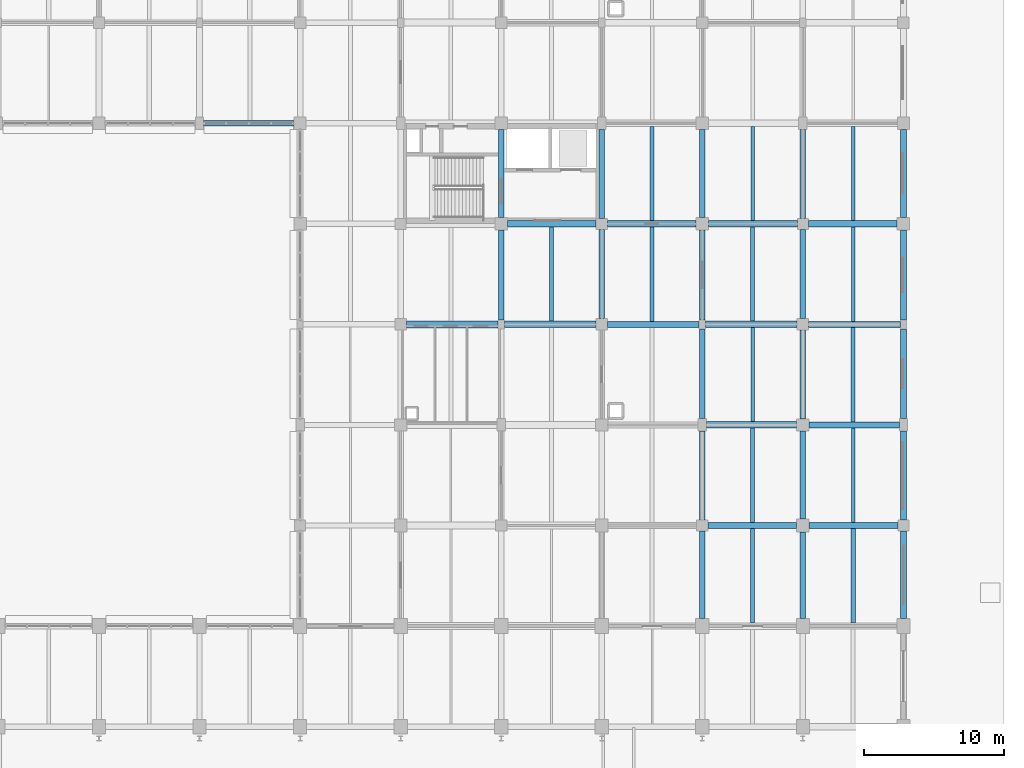
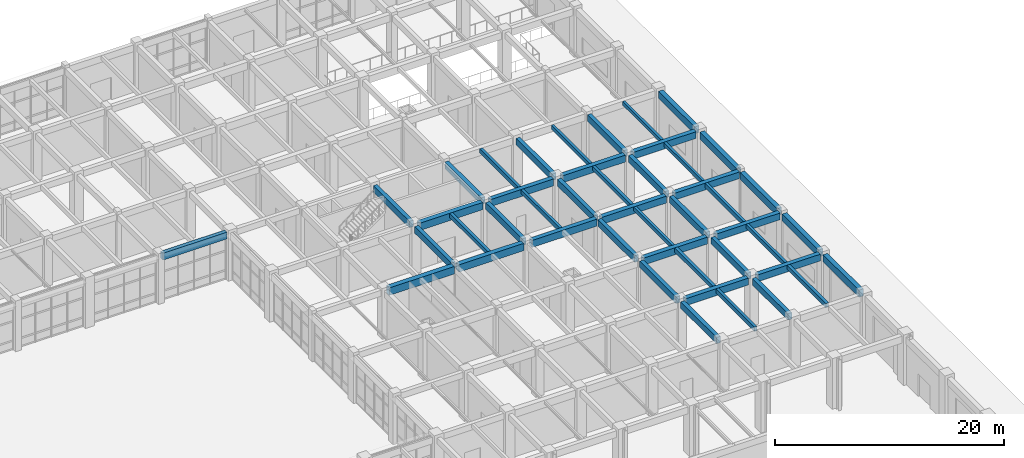
# One storey, part 101 of 160: 46 beams.
"""IFC4 building model written with IfcOpenShell, lengths in metres."""

from ifc_helpers import new_model, si_unit, direction, frame, origin, origin_2d, place, context, subcontext, project, spatial, rectangle, extrude, material, material_profile, profile_set, type_object, element, save


model = new_model("IFC4")

# Units and contexts
model_context = context("Model", 3, precision=1e-05, world=origin(), true_north=direction((0.0, 1.0)))
body_context = subcontext(model_context, "Body", "Model", "MODEL_VIEW")
ifc_project = project(units=[si_unit("LENGTHUNIT", "METRE"), si_unit("AREAUNIT", "SQUARE_METRE"), si_unit("VOLUMEUNIT", "CUBIC_METRE"), si_unit("PLANEANGLEUNIT", "RADIAN"), si_unit("MASSUNIT", "GRAM", prefix="KILO")], contexts=[model_context])

# Site, building, storey
site_placement = place(None, origin())
site = spatial("IfcSite", under=ifc_project, at=site_placement, CompositionType="ELEMENT")
building_placement = place(site_placement, origin())
building = spatial("IfcBuilding", under=site, at=building_placement, Name="Thalmaran Polytechnic", CompositionType="ELEMENT")
storey_placement = place(building_placement, origin())
storey = spatial("IfcBuildingStorey", under=building, at=storey_placement, Name="L00", CompositionType="ELEMENT", Elevation=0.0)

# Beams
ifc_material = material(Name="Concrete C40/50", Category="concrete")
ifc_material_profile_1 = material_profile(ifc_material, rectangle(XDim=0.5, YDim=0.800048828125, at=origin_2d()), Name="RC 500x800")
ifc_profile_set_1 = profile_set([ifc_material_profile_1], Name="Concrete C40/50")
beam_type_1 = type_object("IfcBeamType", Name="BM-RC02", PredefinedType="BEAM", material=ifc_profile_set_1)
beam_1_placement = place(storey_placement, frame((137.2099609375, 79.199951171875, 4.68994140625), z_axis=(1.0, 0.0, 0.0), x_axis=(0.0, 1.0, 0.0)))
element("IfcBeam", 1, at=beam_1_placement, inside=storey, type_object=beam_type_1, Name="Grid Beam B02 L00 X(19,11)", PredefinedType="BEAM", context=body_context, shape_type="SweptSolid", body=[
    extrude(rectangle(XDim=0.5, YDim=0.800048828125, at=origin_2d()), origin(), (0.0, 0.0, 1.0), 6.56494140625),
])
ifc_material_profile_2 = material_profile(ifc_material, rectangle(XDim=0.449951171875, YDim=0.75, at=origin_2d()), Name="RC 450x750")
ifc_profile_set_2 = profile_set([ifc_material_profile_2], Name="Concrete C40/50")
beam_type_2 = type_object("IfcBeamType", Name="BM-RC03", PredefinedType="BEAM", material=ifc_profile_set_2)
beam_2_placement = place(storey_placement, frame((151.610107421875, 79.199951171875, 4.715087890625), z_axis=(1.0, 0.0, 0.0), x_axis=(0.0, 1.0, 0.0)))
element("IfcBeam", 2, at=beam_2_placement, inside=storey, type_object=beam_type_2, Name="Grid Beam B03 L00 X(21,11)", PredefinedType="BEAM", context=body_context, shape_type="SweptSolid", body=[
    extrude(rectangle(XDim=0.449951171875, YDim=0.75, at=origin_2d()), origin(), (0.0, 0.0, 1.0), 6.56494140625),
])
beam_3_placement = place(storey_placement, frame((151.60009765625, 86.39990234375, 4.715087890625), z_axis=(1.0, 0.0, 0.0), x_axis=(0.0, 1.0, 0.0)))
element("IfcBeam", 3, at=beam_3_placement, inside=storey, type_object=beam_type_2, Name="Grid Beam B03 L00 X(21,12)", PredefinedType="BEAM", context=body_context, shape_type="SweptSolid", body=[
    extrude(rectangle(XDim=0.449951171875, YDim=0.75, at=origin_2d()), origin(), (0.0, 0.0, 1.0), 6.349853515625),
])
ifc_material_profile_3 = material_profile(ifc_material, rectangle(XDim=0.449951171875, YDim=0.72509765625, at=origin_2d()), Name="RC 450x725")
ifc_profile_set_3 = profile_set([ifc_material_profile_3], Name="Concrete C40/50")
beam_type_3 = type_object("IfcBeamType", Name="BM-RC04", PredefinedType="BEAM", material=ifc_profile_set_3)
beam_4_placement = place(storey_placement, frame((166.050048828125, 64.800048828125, 4.7275390625), z_axis=(1.0, 0.0, 0.0), x_axis=(0.0, 1.0, 0.0)))
element("IfcBeam", 4, at=beam_4_placement, inside=storey, type_object=beam_type_3, Name="Grid Beam B04 L00 X(23,9)", PredefinedType="BEAM", context=body_context, shape_type="SweptSolid", body=[
    extrude(rectangle(XDim=0.449951171875, YDim=0.72509765625, at=origin_2d()), origin(), (0.0, 0.0, 1.0), 6.349853515625),
])
beam_5_placement = place(storey_placement, frame((166.0400390625, 72.0, 4.7275390625), z_axis=(1.0, 0.0, 0.0), x_axis=(0.0, 1.0, 0.0)))
element("IfcBeam", 5, at=beam_5_placement, inside=storey, type_object=beam_type_3, Name="Grid Beam B04 L00 X(23,10)", PredefinedType="BEAM", context=body_context, shape_type="SweptSolid", body=[
    extrude(rectangle(XDim=0.449951171875, YDim=0.72509765625, at=origin_2d()), origin(), (0.0, 0.0, 1.0), 6.4599609375),
])
beam_6_placement = place(storey_placement, frame((166.010009765625, 79.199951171875, 4.7275390625), z_axis=(1.0, 0.0, 0.0), x_axis=(0.0, 1.0, 0.0)))
element("IfcBeam", 6, at=beam_6_placement, inside=storey, type_object=beam_type_3, Name="Grid Beam B04 L00 X(23,11)", PredefinedType="BEAM", context=body_context, shape_type="SweptSolid", body=[
    extrude(rectangle(XDim=0.449951171875, YDim=0.72509765625, at=origin_2d()), origin(), (0.0, 0.0, 1.0), 6.56494140625),
])
beam_7_placement = place(storey_placement, frame((166.0, 86.39990234375, 4.7275390625), z_axis=(1.0, 0.0, 0.0), x_axis=(0.0, 1.0, 0.0)))
element("IfcBeam", 7, at=beam_7_placement, inside=storey, type_object=beam_type_3, Name="Grid Beam B04 L00 X(23,12)", PredefinedType="BEAM", context=body_context, shape_type="SweptSolid", body=[
    extrude(rectangle(XDim=0.449951171875, YDim=0.72509765625, at=origin_2d()), origin(), (0.0, 0.0, 1.0), 6.35009765625),
])
ifc_material_profile_4 = material_profile(ifc_material, rectangle(XDim=0.389892578125, YDim=0.68505859375, at=origin_2d()), Name="RC 390x685")
ifc_profile_set_4 = profile_set([ifc_material_profile_4], Name="Concrete C40/50")
beam_type_4 = type_object("IfcBeamType", Name="BM-RC08", PredefinedType="BEAM", material=ifc_profile_set_4)
beam_8_placement = place(storey_placement, frame((158.39990234375, 58.125, 4.74755859375), z_axis=(0.0, 1.0, 0.0), x_axis=(-1.0, 0.0, 0.0)))
element("IfcBeam", 8, at=beam_8_placement, inside=storey, type_object=beam_type_4, Name="Grid Beam B08 L00 Y(22,8)", PredefinedType="BEAM", context=body_context, shape_type="SweptSolid", body=[
    extrude(rectangle(XDim=0.389892578125, YDim=0.68505859375, at=origin_2d()), origin(), (0.0, 0.0, 1.0), 6.27490234375),
])
beam_9_placement = place(storey_placement, frame((165.60009765625, 58.125, 4.74755859375), z_axis=(0.0, 1.0, 0.0), x_axis=(-1.0, 0.0, 0.0)))
element("IfcBeam", 9, at=beam_9_placement, inside=storey, type_object=beam_type_4, Name="Grid Beam B08 L00 Y(23,8)", PredefinedType="BEAM", context=body_context, shape_type="SweptSolid", body=[
    extrude(rectangle(XDim=0.389892578125, YDim=0.68505859375, at=origin_2d()), origin(), (0.0, 0.0, 1.0), 6.22509765625),
])
ifc_material_profile_5 = material_profile(ifc_material, rectangle(XDim=0.389892578125, YDim=0.68994140625, at=origin_2d()), Name="RC 390x690")
ifc_profile_set_5 = profile_set([ifc_material_profile_5], Name="Concrete C40/50")
beam_type_5 = type_object("IfcBeamType", Name="BM-RC09", PredefinedType="BEAM", material=ifc_profile_set_5)
beam_10_placement = place(storey_placement, frame((158.39990234375, 72.449951171875, 4.7451171875), z_axis=(0.0, 1.0, 0.0), x_axis=(-1.0, 0.0, 0.0)))
element("IfcBeam", 10, at=beam_10_placement, inside=storey, type_object=beam_type_5, Name="Grid Beam B09 L00 Y(22,10)", PredefinedType="BEAM", context=body_context, shape_type="SweptSolid", body=[
    extrude(rectangle(XDim=0.389892578125, YDim=0.68994140625, at=origin_2d()), origin(), (0.0, 0.0, 1.0), 6.425048828125),
])
beam_11_placement = place(storey_placement, frame((165.60009765625, 72.43994140625, 4.7451171875), z_axis=(0.0, 1.0, 0.0), x_axis=(-1.0, 0.0, 0.0)))
element("IfcBeam", 11, at=beam_11_placement, inside=storey, type_object=beam_type_5, Name="Grid Beam B09 L00 Y(23,10)", PredefinedType="BEAM", context=body_context, shape_type="SweptSolid", body=[
    extrude(rectangle(XDim=0.389892578125, YDim=0.68994140625, at=origin_2d()), origin(), (0.0, 0.0, 1.0), 6.35009765625),
])
ifc_material_profile_6 = material_profile(ifc_material, rectangle(XDim=0.389892578125, YDim=0.695068359375, at=origin_2d()), Name="RC 390x695")
ifc_profile_set_6 = profile_set([ifc_material_profile_6], Name="Concrete C40/50")
beam_type_6 = type_object("IfcBeamType", Name="BM-RC10", PredefinedType="BEAM", material=ifc_profile_set_6)
beam_12_placement = place(storey_placement, frame((144.0, 86.85009765625, 4.742431640625), z_axis=(0.0, 1.0, 0.0), x_axis=(-1.0, 0.0, 0.0)))
element("IfcBeam", 12, at=beam_12_placement, inside=storey, type_object=beam_type_6, Name="Grid Beam B10 L00 Y(20,12)", PredefinedType="BEAM", context=body_context, shape_type="SweptSolid", body=[
    extrude(rectangle(XDim=0.389892578125, YDim=0.695068359375, at=origin_2d()), origin(), (0.0, 0.0, 1.0), 6.309814453125),
])
beam_13_placement = place(storey_placement, frame((151.199951171875, 86.800048828125, 4.742431640625), z_axis=(0.0, 1.0, 0.0), x_axis=(-1.0, 0.0, 0.0)))
element("IfcBeam", 13, at=beam_13_placement, inside=storey, type_object=beam_type_6, Name="Grid Beam B10 L00 Y(21,12)", PredefinedType="BEAM", context=body_context, shape_type="SweptSolid", body=[
    extrude(rectangle(XDim=0.389892578125, YDim=0.695068359375, at=origin_2d()), origin(), (0.0, 0.0, 1.0), 6.349853515625),
])
beam_14_placement = place(storey_placement, frame((158.39990234375, 86.85009765625, 4.742431640625), z_axis=(0.0, 1.0, 0.0), x_axis=(-1.0, 0.0, 0.0)))
element("IfcBeam", 14, at=beam_14_placement, inside=storey, type_object=beam_type_6, Name="Grid Beam B10 L00 Y(22,12)", PredefinedType="BEAM", context=body_context, shape_type="SweptSolid", body=[
    extrude(rectangle(XDim=0.389892578125, YDim=0.695068359375, at=origin_2d()), origin(), (0.0, 0.0, 1.0), 6.309814453125),
])
beam_15_placement = place(storey_placement, frame((165.60009765625, 86.800048828125, 4.742431640625), z_axis=(0.0, 1.0, 0.0), x_axis=(-1.0, 0.0, 0.0)))
element("IfcBeam", 15, at=beam_15_placement, inside=storey, type_object=beam_type_6, Name="Grid Beam B10 L00 Y(23,12)", PredefinedType="BEAM", context=body_context, shape_type="SweptSolid", body=[
    extrude(rectangle(XDim=0.389892578125, YDim=0.695068359375, at=origin_2d()), origin(), (0.0, 0.0, 1.0), 6.349853515625),
])
ifc_material_profile_7 = material_profile(ifc_material, rectangle(XDim=0.300048828125, YDim=0.449951171875, at=origin_2d()), Name="RC 300x450")
ifc_profile_set_7 = profile_set([ifc_material_profile_7], Name="Concrete C40/50")
beam_type_7 = type_object("IfcBeamType", Name="BM-RC12", PredefinedType="JOIST", material=ifc_profile_set_7)
beam_16_placement = place(storey_placement, frame((147.60009765625, 79.43994140625, 4.864990234375), z_axis=(0.0, 1.0, 0.0), x_axis=(-1.0, 0.0, 0.0)))
element("IfcBeam", 16, at=beam_16_placement, inside=storey, type_object=beam_type_7, Name="Secondary Floor Rib RB02 L00 (20,11)", PredefinedType="JOIST", context=body_context, shape_type="SweptSolid", body=[
    extrude(rectangle(XDim=0.300048828125, YDim=0.449951171875, at=origin_2d()), origin(), (0.0, 0.0, 1.0), 6.719970703125),
])
beam_17_placement = place(storey_placement, frame((162.0, 65.030029296875, 4.864990234375), z_axis=(0.0, 1.0, 0.0), x_axis=(-1.0, 0.0, 0.0)))
element("IfcBeam", 17, at=beam_17_placement, inside=storey, type_object=beam_type_7, Name="Secondary Floor Rib RB02 L00 (22,9)", PredefinedType="JOIST", context=body_context, shape_type="SweptSolid", body=[
    extrude(rectangle(XDim=0.300048828125, YDim=0.449951171875, at=origin_2d()), origin(), (0.0, 0.0, 1.0), 6.739990234375),
])
beam_18_placement = place(storey_placement, frame((169.199951171875, 57.824951171875, 4.864990234375), z_axis=(0.0, 1.0, 0.0), x_axis=(-1.0, 0.0, 0.0)))
element("IfcBeam", 18, at=beam_18_placement, inside=storey, type_object=beam_type_7, Name="Secondary Floor Rib RB02 L00 (23,8)", PredefinedType="JOIST", context=body_context, shape_type="SweptSolid", body=[
    extrude(rectangle(XDim=0.300048828125, YDim=0.449951171875, at=origin_2d()), origin(), (0.0, 0.0, 1.0), 6.75),
])
ifc_material_profile_8 = material_profile(ifc_material, rectangle(XDim=0.280029296875, YDim=0.449951171875, at=origin_2d()), Name="RC 280x450")
ifc_profile_set_8 = profile_set([ifc_material_profile_8], Name="Concrete C40/50")
beam_type_8 = type_object("IfcBeamType", Name="BM-RC13", PredefinedType="JOIST", material=ifc_profile_set_8)
beam_19_placement = place(storey_placement, frame((154.800048828125, 86.625, 4.864990234375), z_axis=(0.0, 1.0, 0.0), x_axis=(-1.0, 0.0, 0.0)))
element("IfcBeam", 19, at=beam_19_placement, inside=storey, type_object=beam_type_8, Name="Secondary Floor Rib RB03 L00 (21,12)", PredefinedType="JOIST", context=body_context, shape_type="SweptSolid", body=[
    extrude(rectangle(XDim=0.280029296875, YDim=0.449951171875, at=origin_2d()), origin(), (0.0, 0.0, 1.0), 6.75),
])
beam_20_placement = place(storey_placement, frame((162.0, 79.429931640625, 4.864990234375), z_axis=(0.0, 1.0, 0.0), x_axis=(-1.0, 0.0, 0.0)))
element("IfcBeam", 20, at=beam_20_placement, inside=storey, type_object=beam_type_8, Name="Secondary Floor Rib RB03 L00 (22,11)", PredefinedType="JOIST", context=body_context, shape_type="SweptSolid", body=[
    extrude(rectangle(XDim=0.280029296875, YDim=0.449951171875, at=origin_2d()), origin(), (0.0, 0.0, 1.0), 6.739990234375),
])
beam_21_placement = place(storey_placement, frame((169.199951171875, 72.22509765625, 4.864990234375), z_axis=(0.0, 1.0, 0.0), x_axis=(-1.0, 0.0, 0.0)))
element("IfcBeam", 21, at=beam_21_placement, inside=storey, type_object=beam_type_8, Name="Secondary Floor Rib RB03 L00 (23,10)", PredefinedType="JOIST", context=body_context, shape_type="SweptSolid", body=[
    extrude(rectangle(XDim=0.280029296875, YDim=0.449951171875, at=origin_2d()), origin(), (0.0, 0.0, 1.0), 6.75),
])
ifc_material_profile_9 = material_profile(ifc_material, rectangle(XDim=0.39990234375, YDim=0.719970703125, at=origin_2d()), Name="RC 400x720")
ifc_profile_set_9 = profile_set([ifc_material_profile_9], Name="Concrete C40/50")
beam_type_9 = type_object("IfcBeamType", Name="BM-SP01", PredefinedType="SPANDREL", material=ifc_profile_set_9)
beam_22_placement = place(storey_placement, frame((122.699951171875, 93.60009765625, 4.72998046875), z_axis=(1.0, 0.0, 0.0), x_axis=(0.0, 1.0, 0.0)))
element("IfcBeam", 22, at=beam_22_placement, inside=storey, type_object=beam_type_9, Name="Grid Beam SP01 L00 X(17,13)", PredefinedType="SPANDREL", context=body_context, shape_type="SweptSolid", body=[
    extrude(rectangle(XDim=0.39990234375, YDim=0.719970703125, at=origin_2d()), origin(), (0.0, 0.0, 1.0), 6.4599609375),
])
ifc_material_profile_10 = material_profile(ifc_material, rectangle(XDim=0.449951171875, YDim=0.7548828125, at=origin_2d()), Name="RC 450x755")
ifc_profile_set_10 = profile_set([ifc_material_profile_10], Name="Concrete C40/50")
beam_type_10 = type_object("IfcBeamType", Name="BM-SP02", PredefinedType="SPANDREL", material=ifc_profile_set_10)
beam_23_placement = place(storey_placement, frame((172.800048828125, 58.125, 4.71240234375), z_axis=(0.0, 1.0, 0.0), x_axis=(-1.0, 0.0, 0.0)))
element("IfcBeam", 23, at=beam_23_placement, inside=storey, type_object=beam_type_10, Name="Grid Beam SP02 L00 Y(24,8)", PredefinedType="SPANDREL", context=body_context, shape_type="SweptSolid", body=[
    extrude(rectangle(XDim=0.449951171875, YDim=0.7548828125, at=origin_2d()), origin(), (0.0, 0.0, 1.0), 6.27490234375),
])
beam_24_placement = place(storey_placement, frame((172.800048828125, 65.199951171875, 4.71240234375), z_axis=(0.0, 1.0, 0.0), x_axis=(-1.0, 0.0, 0.0)))
element("IfcBeam", 24, at=beam_24_placement, inside=storey, type_object=beam_type_10, Name="Grid Beam SP02 L00 Y(24,9)", PredefinedType="SPANDREL", context=body_context, shape_type="SweptSolid", body=[
    extrude(rectangle(XDim=0.449951171875, YDim=0.7548828125, at=origin_2d()), origin(), (0.0, 0.0, 1.0), 6.35009765625),
])
for number, where, z_axis, x_axis, name in (
    (25, (172.800048828125, 72.449951171875, 4.71240234375), (0.0, 1.0, 0.0), (-1.0, 0.0, 0.0), "Grid Beam SP02 L00 Y(24,10)"),
    (26, (172.800048828125, 79.52490234375, 4.71240234375), (0.0, 1.0, 0.0), (-1.0, 0.0, 0.0), "Grid Beam SP02 L00 Y(24,11)"),
):
    element("IfcBeam", number, at=place(storey_placement, frame(where, z_axis=z_axis, x_axis=x_axis)), inside=storey, type_object=beam_type_10, Name=name, PredefinedType="SPANDREL", context=body_context, shape_type="SweptSolid", body=[
        extrude(rectangle(XDim=0.449951171875, YDim=0.7548828125, at=origin_2d()), origin(), (0.0, 0.0, 1.0), 6.425048828125),
    ])
beam_25_placement = place(storey_placement, frame((172.800048828125, 86.85009765625, 4.71240234375), z_axis=(0.0, 1.0, 0.0), x_axis=(-1.0, 0.0, 0.0)))
element("IfcBeam", 27, at=beam_25_placement, inside=storey, type_object=beam_type_10, Name="Grid Beam SP02 L00 Y(24,12)", PredefinedType="SPANDREL", context=body_context, shape_type="SweptSolid", body=[
    extrude(rectangle(XDim=0.449951171875, YDim=0.7548828125, at=origin_2d()), origin(), (0.0, 0.0, 1.0), 6.309814453125),
])
ifc_material_profile_11 = material_profile(ifc_material, rectangle(XDim=0.47998046875, YDim=0.780029296875, at=origin_2d()), Name="RC 480x780")
ifc_profile_set_11 = profile_set([ifc_material_profile_11], Name="Concrete C40/50")
beam_type_11 = type_object("IfcBeamType", Name="BM-ZB01", PredefinedType="BEAM", material=ifc_profile_set_11)
beam_26_placement = place(storey_placement, frame((144.22509765625, 79.199951171875, 4.699951171875), z_axis=(1.0, 0.0, 0.0), x_axis=(0.0, 1.0, 0.0)))
element("IfcBeam", 28, at=beam_26_placement, inside=storey, type_object=beam_type_11, Name="Grid Beam ZB01 L00 X(20,11)", PredefinedType="BEAM", context=body_context, shape_type="SweptSolid", body=[
    extrude(rectangle(XDim=0.47998046875, YDim=0.780029296875, at=origin_2d()), origin(), (0.0, 0.0, 1.0), 6.56494140625),
])
beam_27_placement = place(storey_placement, frame((144.449951171875, 86.39990234375, 4.699951171875), z_axis=(1.0, 0.0, 0.0), x_axis=(0.0, 1.0, 0.0)))
element("IfcBeam", 29, at=beam_27_placement, inside=storey, type_object=beam_type_11, Name="Grid Beam ZB01 L00 X(20,12)", PredefinedType="BEAM", context=body_context, shape_type="SweptSolid", body=[
    extrude(rectangle(XDim=0.47998046875, YDim=0.780029296875, at=origin_2d()), origin(), (0.0, 0.0, 1.0), 6.35009765625),
])
ifc_material_profile_12 = material_profile(ifc_material, rectangle(XDim=0.4599609375, YDim=0.739990234375, at=origin_2d()), Name="RC 460x740")
ifc_profile_set_12 = profile_set([ifc_material_profile_12], Name="Concrete C40/50")
beam_type_12 = type_object("IfcBeamType", Name="BM-ZB02", PredefinedType="BEAM", material=ifc_profile_set_12)
beam_28_placement = place(storey_placement, frame((158.800048828125, 64.800048828125, 4.719970703125), z_axis=(1.0, 0.0, 0.0), x_axis=(0.0, 1.0, 0.0)))
element("IfcBeam", 30, at=beam_28_placement, inside=storey, type_object=beam_type_12, Name="Grid Beam ZB02 L00 X(22,9)", PredefinedType="BEAM", context=body_context, shape_type="SweptSolid", body=[
    extrude(rectangle(XDim=0.4599609375, YDim=0.739990234375, at=origin_2d()), origin(), (0.0, 0.0, 1.0), 6.349853515625),
])
beam_29_placement = place(storey_placement, frame((158.699951171875, 72.0, 4.719970703125), z_axis=(1.0, 0.0, 0.0), x_axis=(0.0, 1.0, 0.0)))
element("IfcBeam", 31, at=beam_29_placement, inside=storey, type_object=beam_type_12, Name="Grid Beam ZB02 L00 X(22,10)", PredefinedType="BEAM", context=body_context, shape_type="SweptSolid", body=[
    extrude(rectangle(XDim=0.4599609375, YDim=0.739990234375, at=origin_2d()), origin(), (0.0, 0.0, 1.0), 6.4599609375),
])
beam_30_placement = place(storey_placement, frame((158.625, 79.199951171875, 4.719970703125), z_axis=(1.0, 0.0, 0.0), x_axis=(0.0, 1.0, 0.0)))
element("IfcBeam", 32, at=beam_30_placement, inside=storey, type_object=beam_type_12, Name="Grid Beam ZB02 L00 X(22,11)", PredefinedType="BEAM", context=body_context, shape_type="SweptSolid", body=[
    extrude(rectangle(XDim=0.4599609375, YDim=0.739990234375, at=origin_2d()), origin(), (0.0, 0.0, 1.0), 6.56494140625),
])
beam_31_placement = place(storey_placement, frame((158.85009765625, 86.39990234375, 4.719970703125), z_axis=(1.0, 0.0, 0.0), x_axis=(0.0, 1.0, 0.0)))
element("IfcBeam", 33, at=beam_31_placement, inside=storey, type_object=beam_type_12, Name="Grid Beam ZB02 L00 X(22,12)", PredefinedType="BEAM", context=body_context, shape_type="SweptSolid", body=[
    extrude(rectangle(XDim=0.4599609375, YDim=0.739990234375, at=origin_2d()), origin(), (0.0, 0.0, 1.0), 6.349853515625),
])
ifc_material_profile_13 = material_profile(ifc_material, rectangle(XDim=0.39990234375, YDim=0.68505859375, at=origin_2d()), Name="RC 400x685")
ifc_profile_set_13 = profile_set([ifc_material_profile_13], Name="Concrete C40/50")
beam_type_13 = type_object("IfcBeamType", Name="BM-ZB07", PredefinedType="BEAM", material=ifc_profile_set_13)
beam_32_placement = place(storey_placement, frame((158.39990234375, 65.199951171875, 4.74755859375), z_axis=(0.0, 1.0, 0.0), x_axis=(-1.0, 0.0, 0.0)))
element("IfcBeam", 34, at=beam_32_placement, inside=storey, type_object=beam_type_13, Name="Grid Beam ZB07 L00 Y(22,9)", PredefinedType="BEAM", context=body_context, shape_type="SweptSolid", body=[
    extrude(rectangle(XDim=0.39990234375, YDim=0.68505859375, at=origin_2d()), origin(), (0.0, 0.0, 1.0), 6.35009765625),
])
beam_33_placement = place(storey_placement, frame((165.60009765625, 65.25, 4.74755859375), z_axis=(0.0, 1.0, 0.0), x_axis=(-1.0, 0.0, 0.0)))
element("IfcBeam", 35, at=beam_33_placement, inside=storey, type_object=beam_type_13, Name="Grid Beam ZB07 L00 Y(23,9)", PredefinedType="BEAM", context=body_context, shape_type="SweptSolid", body=[
    extrude(rectangle(XDim=0.39990234375, YDim=0.68505859375, at=origin_2d()), origin(), (0.0, 0.0, 1.0), 6.31005859375),
])
ifc_material_profile_14 = material_profile(ifc_material, rectangle(XDim=0.39990234375, YDim=0.695068359375, at=origin_2d()), Name="RC 400x695")
ifc_profile_set_14 = profile_set([ifc_material_profile_14], Name="Concrete C40/50")
beam_type_14 = type_object("IfcBeamType", Name="BM-ZB08", PredefinedType="BEAM", material=ifc_profile_set_14)
beam_34_placement = place(storey_placement, frame((144.0, 79.52490234375, 4.742431640625), z_axis=(0.0, 1.0, 0.0), x_axis=(-1.0, 0.0, 0.0)))
element("IfcBeam", 36, at=beam_34_placement, inside=storey, type_object=beam_type_14, Name="Grid Beam ZB08 L00 Y(20,11)", PredefinedType="BEAM", context=body_context, shape_type="SweptSolid", body=[
    extrude(rectangle(XDim=0.39990234375, YDim=0.695068359375, at=origin_2d()), origin(), (0.0, 0.0, 1.0), 6.425048828125),
])
beam_35_placement = place(storey_placement, frame((151.199951171875, 79.610107421875, 4.742431640625), z_axis=(0.0, 1.0, 0.0), x_axis=(-1.0, 0.0, 0.0)))
element("IfcBeam", 37, at=beam_35_placement, inside=storey, type_object=beam_type_14, Name="Grid Beam ZB08 L00 Y(21,11)", PredefinedType="BEAM", context=body_context, shape_type="SweptSolid", body=[
    extrude(rectangle(XDim=0.39990234375, YDim=0.695068359375, at=origin_2d()), origin(), (0.0, 0.0, 1.0), 6.389892578125),
])
beam_36_placement = place(storey_placement, frame((158.39990234375, 79.52490234375, 4.742431640625), z_axis=(0.0, 1.0, 0.0), x_axis=(-1.0, 0.0, 0.0)))
element("IfcBeam", 38, at=beam_36_placement, inside=storey, type_object=beam_type_14, Name="Grid Beam ZB08 L00 Y(22,11)", PredefinedType="BEAM", context=body_context, shape_type="SweptSolid", body=[
    extrude(rectangle(XDim=0.39990234375, YDim=0.695068359375, at=origin_2d()), origin(), (0.0, 0.0, 1.0), 6.425048828125),
])
beam_37_placement = place(storey_placement, frame((165.60009765625, 79.610107421875, 4.742431640625), z_axis=(0.0, 1.0, 0.0), x_axis=(-1.0, 0.0, 0.0)))
element("IfcBeam", 39, at=beam_37_placement, inside=storey, type_object=beam_type_14, Name="Grid Beam ZB08 L00 Y(23,11)", PredefinedType="BEAM", context=body_context, shape_type="SweptSolid", body=[
    extrude(rectangle(XDim=0.39990234375, YDim=0.695068359375, at=origin_2d()), origin(), (0.0, 0.0, 1.0), 6.389892578125),
])
ifc_material_profile_15 = material_profile(ifc_material, rectangle(XDim=0.280029296875, YDim=0.47998046875, at=origin_2d()), Name="RC 280x480")
ifc_profile_set_15 = profile_set([ifc_material_profile_15], Name="Concrete C40/50")
beam_type_15 = type_object("IfcBeamType", Name="BM-ZJ01", PredefinedType="JOIST", material=ifc_profile_set_15)
beam_38_placement = place(storey_placement, frame((162.0, 57.830078125, 4.85009765625), z_axis=(0.0, 1.0, 0.0), x_axis=(-1.0, 0.0, 0.0)))
element("IfcBeam", 40, at=beam_38_placement, inside=storey, type_object=beam_type_15, Name="Secondary Floor Rib ZJ01 L00 (22,8)", PredefinedType="JOIST", context=body_context, shape_type="SweptSolid", body=[
    extrude(rectangle(XDim=0.280029296875, YDim=0.47998046875, at=origin_2d()), origin(), (0.0, 0.0, 1.0), 6.739990234375),
])
ifc_material_profile_16 = material_profile(ifc_material, rectangle(XDim=0.260009765625, YDim=0.43994140625, at=origin_2d()), Name="RC 260x440")
ifc_profile_set_16 = profile_set([ifc_material_profile_16], Name="Concrete C40/50")
beam_type_16 = type_object("IfcBeamType", Name="BM-ZJ02", PredefinedType="JOIST", material=ifc_profile_set_16)
beam_39_placement = place(storey_placement, frame((154.800048828125, 79.425048828125, 4.8701171875), z_axis=(0.0, 1.0, 0.0), x_axis=(-1.0, 0.0, 0.0)))
element("IfcBeam", 41, at=beam_39_placement, inside=storey, type_object=beam_type_16, Name="Secondary Floor Rib ZJ02 L00 (21,11)", PredefinedType="JOIST", context=body_context, shape_type="SweptSolid", body=[
    extrude(rectangle(XDim=0.260009765625, YDim=0.43994140625, at=origin_2d()), origin(), (0.0, 0.0, 1.0), 6.75),
])
beam_40_placement = place(storey_placement, frame((162.0, 72.22998046875, 4.8701171875), z_axis=(0.0, 1.0, 0.0), x_axis=(-1.0, 0.0, 0.0)))
element("IfcBeam", 42, at=beam_40_placement, inside=storey, type_object=beam_type_16, Name="Secondary Floor Rib ZJ02 L00 (22,10)", PredefinedType="JOIST", context=body_context, shape_type="SweptSolid", body=[
    extrude(rectangle(XDim=0.260009765625, YDim=0.43994140625, at=origin_2d()), origin(), (0.0, 0.0, 1.0), 6.739990234375),
])
beam_41_placement = place(storey_placement, frame((169.199951171875, 65.02490234375, 4.8701171875), z_axis=(0.0, 1.0, 0.0), x_axis=(-1.0, 0.0, 0.0)))
element("IfcBeam", 43, at=beam_41_placement, inside=storey, type_object=beam_type_16, Name="Secondary Floor Rib ZJ02 L00 (23,9)", PredefinedType="JOIST", context=body_context, shape_type="SweptSolid", body=[
    extrude(rectangle(XDim=0.260009765625, YDim=0.43994140625, at=origin_2d()), origin(), (0.0, 0.0, 1.0), 6.75),
])
ifc_material_profile_17 = material_profile(ifc_material, rectangle(XDim=0.25, YDim=0.419921875, at=origin_2d()), Name="RC 250x420")
ifc_profile_set_17 = profile_set([ifc_material_profile_17], Name="Concrete C40/50")
beam_type_17 = type_object("IfcBeamType", Name="BM-ZJ03", PredefinedType="JOIST", material=ifc_profile_set_17)
beam_42_placement = place(storey_placement, frame((162.0, 86.6298828125, 4.8798828125), z_axis=(0.0, 1.0, 0.0), x_axis=(-1.0, 0.0, 0.0)))
element("IfcBeam", 44, at=beam_42_placement, inside=storey, type_object=beam_type_17, Name="Secondary Floor Rib ZJ03 L00 (22,12)", PredefinedType="JOIST", context=body_context, shape_type="SweptSolid", body=[
    extrude(rectangle(XDim=0.25, YDim=0.419921875, at=origin_2d()), origin(), (0.0, 0.0, 1.0), 6.740234375),
])
beam_43_placement = place(storey_placement, frame((169.199951171875, 79.425048828125, 4.8798828125), z_axis=(0.0, 1.0, 0.0), x_axis=(-1.0, 0.0, 0.0)))
element("IfcBeam", 45, at=beam_43_placement, inside=storey, type_object=beam_type_17, Name="Secondary Floor Rib ZJ03 L00 (23,11)", PredefinedType="JOIST", context=body_context, shape_type="SweptSolid", body=[
    extrude(rectangle(XDim=0.25, YDim=0.419921875, at=origin_2d()), origin(), (0.0, 0.0, 1.0), 6.75),
])
ifc_material_profile_18 = material_profile(ifc_material, rectangle(XDim=0.239990234375, YDim=0.39990234375, at=origin_2d()), Name="RC 240x400")
ifc_profile_set_18 = profile_set([ifc_material_profile_18], Name="Concrete C40/50")
beam_type_18 = type_object("IfcBeamType", Name="BM-ZJ04", PredefinedType="JOIST", material=ifc_profile_set_18)
beam_44_placement = place(storey_placement, frame((169.199951171875, 86.625, 4.889892578125), z_axis=(0.0, 1.0, 0.0), x_axis=(-1.0, 0.0, 0.0)))
element("IfcBeam", 46, at=beam_44_placement, inside=storey, type_object=beam_type_18, Name="Secondary Floor Rib ZJ04 L00 (23,12)", PredefinedType="JOIST", context=body_context, shape_type="SweptSolid", body=[
    extrude(rectangle(XDim=0.239990234375, YDim=0.39990234375, at=origin_2d()), origin(), (0.0, 0.0, 1.0), 6.75),
])

save(model, "model.ifc")
